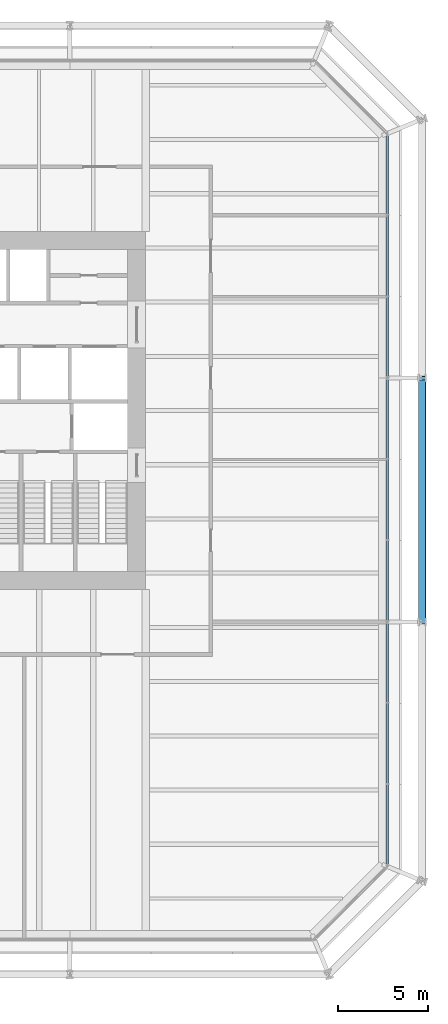
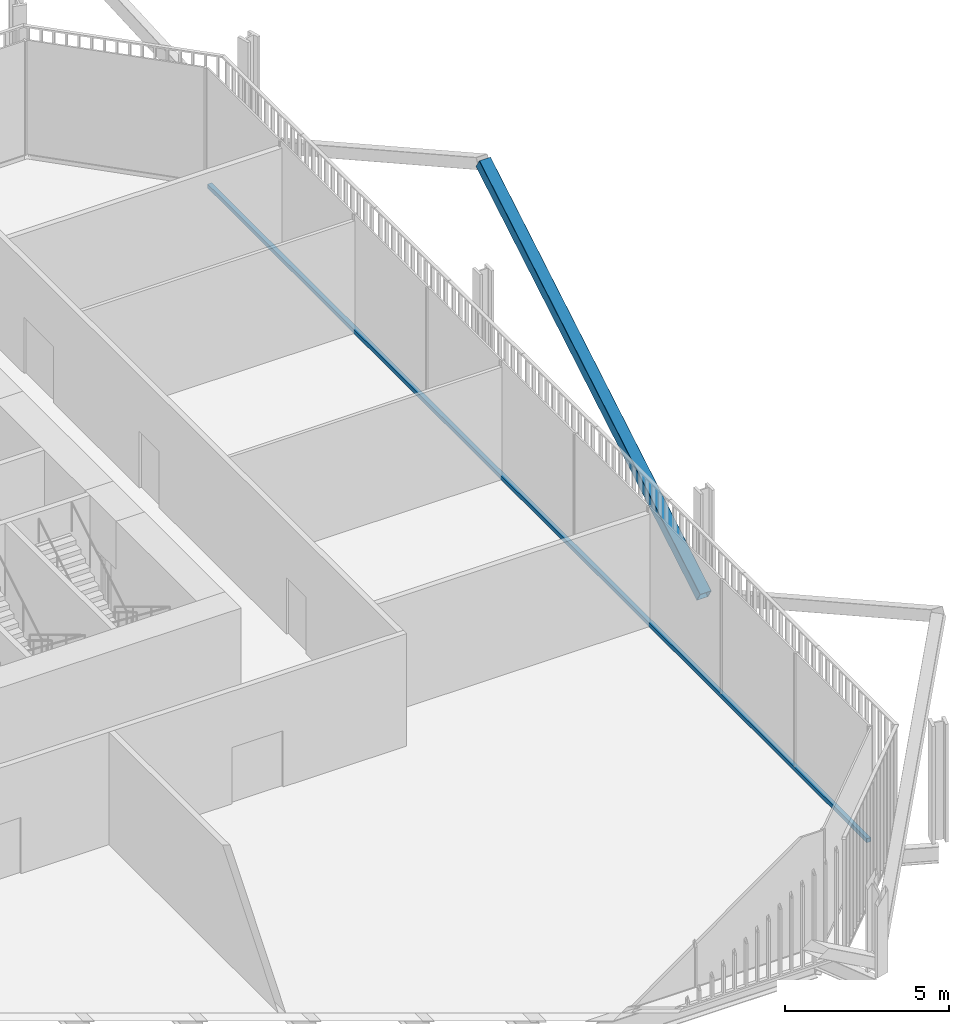
# One storey, part 9 of 21: 2 members, 1 element without a shape of its own.
"""IFC4 building model written with IfcOpenShell, lengths in metres."""

from ifc_helpers import new_model, si_unit, direction, frame, origin, origin_2d, place, context, subcontext, project, spatial, rectangle, hollow_rectangle, extrude, material, layer, layer_set, material_profile, profile_set, type_object, element, aggregate, save


model = new_model("IFC4")

# Units and contexts
model_context = context("Model", 3, precision=1e-05, world=origin(), true_north=direction((0.0, 1.0)))
body_context = subcontext(model_context, "Body", "Model", "MODEL_VIEW")
ifc_project = project(units=[si_unit("LENGTHUNIT", "METRE"), si_unit("AREAUNIT", "SQUARE_METRE"), si_unit("VOLUMEUNIT", "CUBIC_METRE"), si_unit("PLANEANGLEUNIT", "RADIAN"), si_unit("MASSUNIT", "GRAM", prefix="KILO")], contexts=[model_context])

# Site, building, storey
site_placement = place(None, origin())
site = spatial("IfcSite", under=ifc_project, at=site_placement, CompositionType="ELEMENT")
building_placement = place(site_placement, origin())
building = spatial("IfcBuilding", under=site, at=building_placement, Name="Millrace Tower", CompositionType="ELEMENT")
storey_placement = place(building_placement, frame((0.0, 0.0, 95.199951171875)))
storey = spatial("IfcBuildingStorey", under=building, at=storey_placement, Name="L21", CompositionType="ELEMENT", Elevation=95.199951171875)

# Curtain wall, member
ifc_material_1 = material(Name="Aluminium and glass", Category="aluminium")
ifc_layer = layer(ifc_material_1, 0.14990234375)
ifc_layer_set = layer_set([ifc_layer], Name="Aluminium and glass")
curtain_wall_type = type_object("IfcCurtainWallType", Name="CW-3 telecom floor curtain wall", PredefinedType="NOTDEFINED", material=ifc_layer_set)
curtain_wall_placement = place(storey_placement, origin())
curtain_wall = element("IfcCurtainWall", 1, at=curtain_wall_placement, inside=storey, type_object=curtain_wall_type, Name="Curtain wall B-F04 L21", PredefinedType="NOTDEFINED")
ifc_material_2 = material(Name="Aluminium", Category="aluminium")
ifc_material_profile_1 = material_profile(ifc_material_2, rectangle(XDim=0.14990234375, YDim=0.14990234375, at=origin_2d()))
ifc_profile_set_1 = profile_set([ifc_material_profile_1], Name="Aluminium")
member_type_1 = type_object("IfcMemberType", Name="CW-3 telecom floor curtain wall transom", PredefinedType="USERDEFINED", material=ifc_profile_set_1)
member_1_placement = place(storey_placement, frame((28.27490234375, -25.10009765625, 0.074951171875), z_axis=(0.0, 1.0, 0.0), x_axis=(-1.0, 0.0, 0.0)))
member_1 = element("IfcMember", 2, at=member_1_placement, type_object=member_type_1, Name="CW3 transom B-F04.1", ObjectType="TRANSOM", PredefinedType="USERDEFINED", context=body_context, shape_type="SweptSolid", body=[
    extrude(rectangle(XDim=0.14990234375, YDim=0.14990234375, at=origin_2d()), origin(), (0.0, 0.0, 1.0), 40.300048828125),
])
aggregate(curtain_wall, [member_1])

# Member
ifc_material_3 = material(Name="Steel ASTM A500 Grade C", Category="steel")
ifc_material_profile_2 = material_profile(ifc_material_3, hollow_rectangle(XDim=0.406494140625, YDim=0.406494140625, WallThickness=0.0126953125, InnerFilletRadius=0.00634765625, OuterFilletRadius=0.01904296875, at=origin_2d()))
ifc_profile_set_2 = profile_set([ifc_material_profile_2], Name="Steel ASTM A500 Grade C")
member_type_2 = type_object("IfcMemberType", Name="Exoskeleton brace HSS16x16x1/2", PredefinedType="BRACE", material=ifc_profile_set_2)
member_2_placement = place(storey_placement, frame((30.199951171875, -11.699951171875, 0.400146484375), z_axis=(0.0, 0.860291533634, 0.509802390302), x_axis=(-1.0, 0.0, 0.0)))
element("IfcMember", 3, at=member_2_placement, inside=storey, type_object=member_type_2, Name="BRC-B-L21-07", PredefinedType="BRACE", context=body_context, shape_type="SweptSolid", body=[
    extrude(hollow_rectangle(XDim=0.406494140625, YDim=0.406494140625, WallThickness=0.0126953125, InnerFilletRadius=0.00634765625, OuterFilletRadius=0.01904296875, at=origin_2d()), origin(), (0.0, 0.0, 1.0), 15.6923828125),
])

save(model, "model.ifc")
